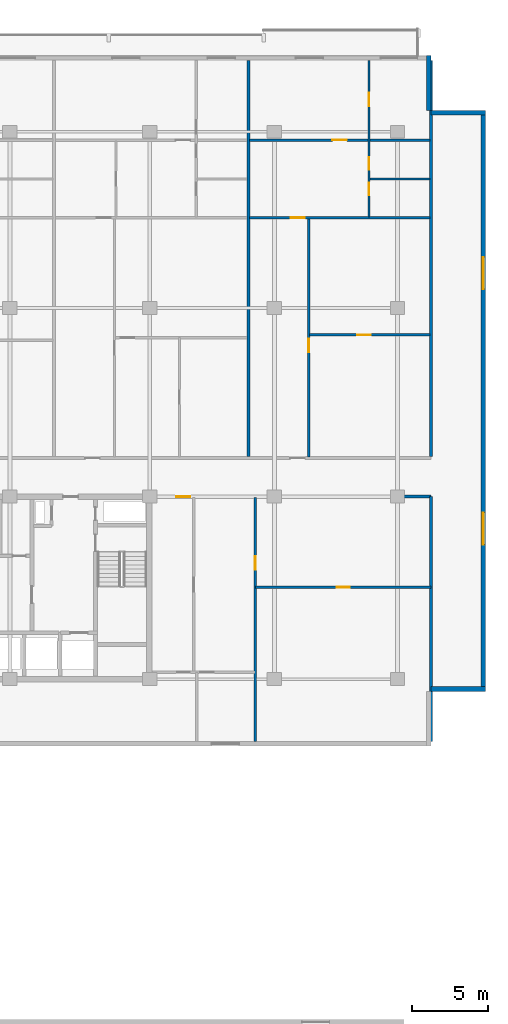
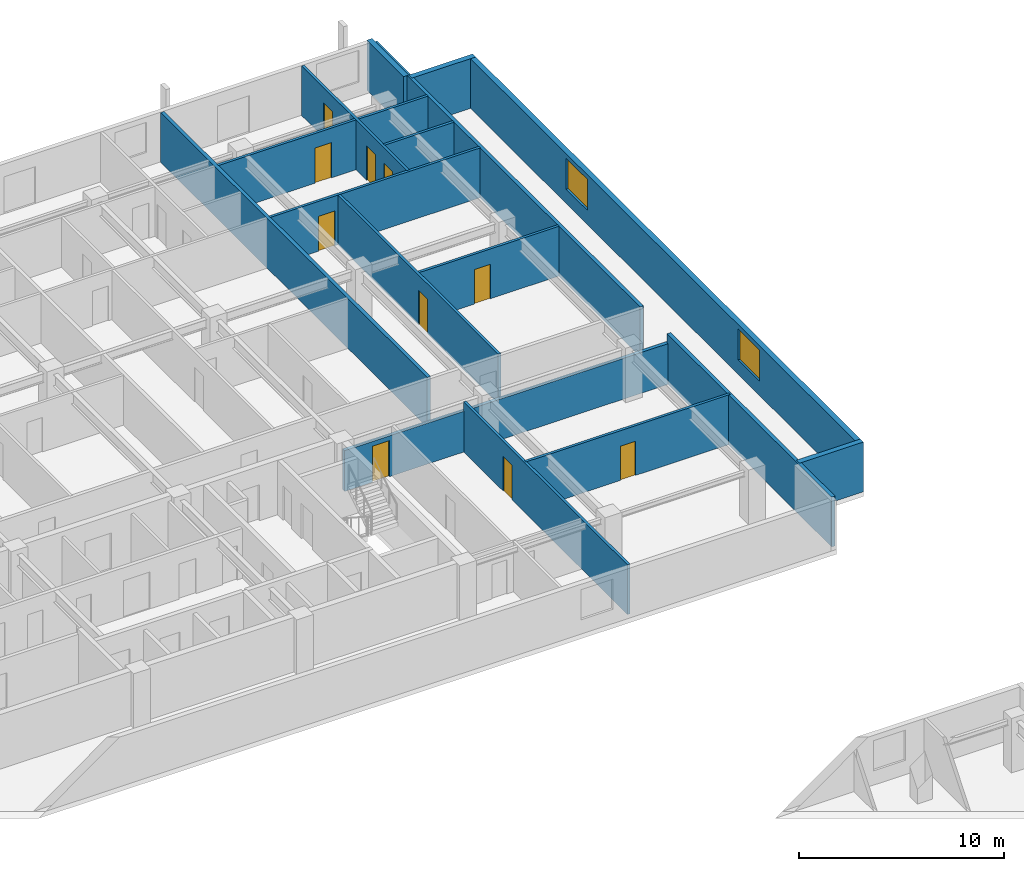
# One storey, part 16 of 22: 16 walls, 10 doors, 2 windows, 12 openings.
"""IFC4 building model written with IfcOpenShell, lengths in metres."""

from ifc_helpers import new_model, si_unit, direction, frame, frame_2d, origin, place, context, subcontext, project, spatial, rectangle, extrude, material, layer, layer_set, type_object, element, fill, save


model = new_model("IFC4")

# Units and contexts
model_context = context("Model", 3, precision=1e-05, world=origin(), true_north=direction((0.0, 1.0)))
body_context = subcontext(model_context, "Body", "Model", "MODEL_VIEW")
ifc_project = project(units=[si_unit("LENGTHUNIT", "METRE"), si_unit("AREAUNIT", "SQUARE_METRE"), si_unit("VOLUMEUNIT", "CUBIC_METRE"), si_unit("PLANEANGLEUNIT", "RADIAN"), si_unit("MASSUNIT", "GRAM", prefix="KILO")], contexts=[model_context])

# Site, building, storey
site_placement = place(None, origin())
site = spatial("IfcSite", under=ifc_project, at=site_placement, CompositionType="ELEMENT")
building_placement = place(site_placement, origin())
building = spatial("IfcBuilding", under=site, at=building_placement, Name="Korimba Cascade Residences", CompositionType="ELEMENT")
storey_placement = place(building_placement, frame((0.0, 0.0, 110.050048828125)))
storey = spatial("IfcBuildingStorey", under=building, at=storey_placement, Name="L31", CompositionType="ELEMENT", Elevation=110.050048828125)

# Wall
ifc_material_1 = material(Name="Precast concrete C40/50", Category="concrete")
ifc_layer_1 = layer(ifc_material_1, 0.300048828125)
ifc_layer_set_1 = layer_set([ifc_layer_1], Name="Precast concrete C40/50")
wall_type_1 = type_object("IfcWallType", Name="EW-STONE-300", PredefinedType="STANDARD", material=ifc_layer_set_1)
wall_1_placement = place(storey_placement, frame((130.60009765625, 54.550048828125, 0.0), z_axis=(0.0, 0.0, 1.0), x_axis=(1.0, 0.0, 0.0)))
element("IfcWall", 1, at=wall_1_placement, inside=storey, type_object=wall_type_1, Name="L31 T1 Perimeter Stone Wall E02", PredefinedType="STANDARD", context=body_context, shape_type="SweptSolid", body=[
    extrude(rectangle(XDim=3.599853515625, YDim=0.300048828125, at=frame_2d((1.7998046875, 0.0))), origin(), (0.0, 0.0, 1.0), 2.969970703125),
])

# Wall, openings, windows
wall_2_placement = place(storey_placement, frame((134.050048828125, 54.39990234375, 0.0), z_axis=(0.0, 0.0, 1.0), x_axis=(0.0, 1.0, 0.0)))
wall_2 = element("IfcWall", 2, at=wall_2_placement, inside=storey, type_object=wall_type_1, Name="L31 T1 Perimeter Stone Wall E03", PredefinedType="STANDARD", context=body_context, shape_type="SweptSolid", body=[
    extrude(rectangle(XDim=38.2001953125, YDim=0.300048828125, at=frame_2d((19.10009765625, 0.0))), origin(), (0.0, 0.0, 1.0), 2.969970703125),
])
opening_1_placement = place(wall_2_placement, frame((9.64599609375, 0.0, 0.85009765625)))
opening_1 = element("IfcOpeningElement", 3, at=opening_1_placement, cuts=wall_2, Name="Opening W-03", PredefinedType="OPENING", context=body_context, shape_type="SweptSolid", body=[
    extrude(rectangle(XDim=2.10009765625, YDim=1.85009765625, at=frame_2d((1.050048828125, 0.925048828125))), frame((0.0, 0.16015625, 0.0), z_axis=(0.0, -1.0, 0.0), x_axis=(1.0, 0.0, 0.0)), (0.0, 0.0, 1.0), 0.320068359375),
])
opening_2_placement = place(wall_2_placement, frame((26.4541015625, 0.0, 0.85009765625)))
opening_2 = element("IfcOpeningElement", 4, at=opening_2_placement, cuts=wall_2, Name="Opening W-03", PredefinedType="OPENING", context=body_context, shape_type="SweptSolid", body=[
    extrude(rectangle(XDim=2.10009765625, YDim=1.85009765625, at=frame_2d((1.050048828125, 0.925048828125))), frame((0.0, 0.16015625, 0.0), z_axis=(0.0, -1.0, 0.0), x_axis=(1.0, 0.0, 0.0)), (0.0, 0.0, 1.0), 0.320068359375),
])
ifc_material_2 = material(Name="Double-Glazed Aluminium Window", Category="aluminium")
window_type = type_object("IfcWindowType", Name="WIN-CRN-2100", PartitioningType="DOUBLE_PANEL_HORIZONTAL", PredefinedType="WINDOW", material=ifc_material_2)
window_1_placement = place(opening_1_placement, origin())
window_1 = element("IfcWindow", 5, at=window_1_placement, inside=storey, type_object=window_type, Name="L31 T1 End View Window 3.1", OverallHeight=1.85009765625, OverallWidth=2.10009765625, PartitioningType="DOUBLE_PANEL_HORIZONTAL", PredefinedType="WINDOW", context=body_context, shape_type="SweptSolid", body=[
    extrude(rectangle(XDim=2.10009765625, YDim=1.85009765625, at=frame_2d((1.050048828125, 0.925048828125))), frame((0.0, 0.030029296875, 0.0), z_axis=(0.0, -1.0, 0.0), x_axis=(1.0, 0.0, 0.0)), (0.0, 0.0, 1.0), 0.06005859375),
])
fill(opening_1, window_1)
window_2_placement = place(opening_2_placement, origin())
window_2 = element("IfcWindow", 6, at=window_2_placement, inside=storey, type_object=window_type, Name="L31 T1 End View Window 3.2", OverallHeight=1.85009765625, OverallWidth=2.10009765625, PartitioningType="DOUBLE_PANEL_HORIZONTAL", PredefinedType="WINDOW", context=body_context, shape_type="SweptSolid", body=[
    extrude(rectangle(XDim=2.10009765625, YDim=1.85009765625, at=frame_2d((1.050048828125, 0.925048828125))), frame((0.0, 0.030029296875, 0.0), z_axis=(0.0, -1.0, 0.0), x_axis=(1.0, 0.0, 0.0)), (0.0, 0.0, 1.0), 0.06005859375),
])
fill(opening_2, window_2)

# Walls
for number, where, z_axis, x_axis, name in (
    (7, (134.199951171875, 92.449951171875, 0.0), (0.0, 0.0, 1.0), (-1.0, 0.0, 0.0), "L31 T1 Perimeter Stone Wall E04"),
    (8, (130.449951171875, 92.60009765625, 0.0), (0.0, 0.0, 1.0), (0.0, 1.0, 0.0), "L31 T1 Perimeter Stone Wall E05"),
):
    element("IfcWall", number, at=place(storey_placement, frame(where, z_axis=z_axis, x_axis=x_axis)), inside=storey, type_object=wall_type_1, Name=name, PredefinedType="STANDARD", context=body_context, shape_type="SweptSolid", body=[
        extrude(rectangle(XDim=3.599853515625, YDim=0.300048828125, at=frame_2d((1.7998046875, 0.0))), origin(), (0.0, 0.0, 1.0), 2.969970703125),
    ])
ifc_layer_2 = layer(ifc_material_1, 0.199951171875)
ifc_layer_set_2 = layer_set([ifc_layer_2], Name="Precast concrete C40/50")
wall_type_2 = type_object("IfcWallType", Name="WAL-IT-200", PredefinedType="PARTITIONING", material=ifc_layer_set_2)
wall_3_placement = place(storey_placement, frame((130.60009765625, 51.10009765625, 0.0), z_axis=(0.0, 0.0, 1.0), x_axis=(0.0, 1.0, 0.0)))
element("IfcWall", 9, at=wall_3_placement, inside=storey, type_object=wall_type_2, Name="L31 Partition Wall WAL-L31-T1-FE-WR", PredefinedType="PARTITIONING", context=body_context, shape_type="SweptSolid", body=[
    extrude(rectangle(XDim=16.099853515625, YDim=0.199951171875, at=frame_2d((8.0498046875, 0.0))), origin(), (0.0, 0.0, 1.0), 2.969970703125),
])

# Wall, opening, door
wall_4_placement = place(storey_placement, frame((112.25, 67.199951171875, 0.0), z_axis=(0.0, 0.0, 1.0), x_axis=(1.0, 0.0, 0.0)))
wall_4 = element("IfcWall", 10, at=wall_4_placement, inside=storey, type_object=wall_type_2, Name="L31 Partition Wall WAL-L31-T1-FE-N", PredefinedType="PARTITIONING", context=body_context, shape_type="SweptSolid", body=[
    extrude(rectangle(XDim=18.35009765625, YDim=0.199951171875, at=frame_2d((9.175048828125, 0.0))), origin(), (0.0, 0.0, 1.0), 2.433349609375),
])
opening_3_placement = place(wall_4_placement, frame((1.580078125, 0.0, 0.0)))
opening_3 = element("IfcOpeningElement", 11, at=opening_3_placement, cuts=wall_4, Name="Opening D-UN1", PredefinedType="OPENING", context=body_context, shape_type="SweptSolid", body=[
    extrude(rectangle(XDim=0.949951171875, YDim=2.14990234375, at=frame_2d((0.47509765625, 1.074951171875))), frame((0.0, 0.10986328125, 0.0), z_axis=(0.0, -1.0, 0.0), x_axis=(1.0, 0.0, 0.0)), (0.0, 0.0, 1.0), 0.219970703125),
])
ifc_material_3 = material(Name="Fire-Rated Hardwood Apartment Entrance Door", Category="wood")
door_type_1 = type_object("IfcDoorType", Name="DR-FD60-950", OperationType="NOTDEFINED", PredefinedType="DOOR", material=ifc_material_3)
door_1_placement = place(opening_3_placement, origin())
door_1 = element("IfcDoor", 12, at=door_1_placement, inside=storey, type_object=door_type_1, Name="L31-T1-FE Entrance Door", OperationType="SINGLE_SWING_LEFT", OverallHeight=2.14990234375, OverallWidth=0.949951171875, PredefinedType="DOOR", context=body_context, shape_type="SweptSolid", body=[
    extrude(rectangle(XDim=0.949951171875, YDim=2.14990234375, at=frame_2d((0.47509765625, 1.074951171875))), frame((0.0, 0.02490234375, 0.0), z_axis=(0.0, -1.0, 0.0), x_axis=(1.0, 0.0, 0.0)), (0.0, 0.0, 1.0), 0.050048828125),
])
fill(opening_3, door_1)

# Walls
for number, where, z_axis, x_axis, name in (
    (13, (130.60009765625, 69.830078125, 0.0), (0.0, 0.0, 1.0), (0.0, 1.0, 0.0), "L31 Partition Wall WAL-L31-T1-BNDWR"),
    (14, (118.583984375, 69.830078125, 0.0), (0.0, 0.0, 1.0), (0.0, 1.0, 0.0), "L31 Partition Wall WAL-L31-T1-DEM-4"),
):
    element("IfcWall", number, at=place(storey_placement, frame(where, z_axis=z_axis, x_axis=x_axis)), inside=storey, type_object=wall_type_2, Name=name, PredefinedType="PARTITIONING", context=body_context, shape_type="SweptSolid", body=[
        extrude(rectangle(XDim=26.06982421875, YDim=0.199951171875, at=frame_2d((13.034912109375, 0.0))), origin(), (0.0, 0.0, 1.0), 2.969970703125),
    ])

# Wall, opening, door
ifc_material_4 = material(Name="Insulated Acoustic Stud Partition", Category="gypsum")
ifc_layer_3 = layer(ifc_material_4, 0.14990234375)
ifc_layer_set_3 = layer_set([ifc_layer_3], Name="Insulated Acoustic Stud Partition")
wall_type_3 = type_object("IfcWallType", Name="WAL-PART-150", PredefinedType="PARTITIONING", material=ifc_layer_set_3)
wall_5_placement = place(storey_placement, frame((119.050048828125, 61.25, 0.0), z_axis=(0.0, 0.0, 1.0), x_axis=(1.0, 0.0, 0.0)))
wall_5 = element("IfcWall", 15, at=wall_5_placement, inside=storey, type_object=wall_type_3, Name="L31 Partition Wall WAL-L31-T1-FE-STH", PredefinedType="PARTITIONING", context=body_context, shape_type="SweptSolid", body=[
    extrude(rectangle(XDim=11.550048828125, YDim=0.14990234375, at=frame_2d((5.77490234375, 0.0))), origin(), (0.0, 0.0, 1.0), 2.969970703125),
])
opening_4_placement = place(wall_5_placement, frame((5.35498046875, 0.0, 0.0)))
opening_4 = element("IfcOpeningElement", 16, at=opening_4_placement, cuts=wall_5, Name="Opening D-BT1", PredefinedType="OPENING", context=body_context, shape_type="SweptSolid", body=[
    extrude(rectangle(XDim=0.840087890625, YDim=2.0400390625, at=frame_2d((0.419921875, 1.02001953125))), frame((0.0, 0.0849609375, 0.0), z_axis=(0.0, -1.0, 0.0), x_axis=(1.0, 0.0, 0.0)), (0.0, 0.0, 1.0), 0.169921875),
])
ifc_material_5 = material(Name="Moisture-Resistant Bathroom Timber Door", Category="wood")
door_type_2 = type_object("IfcDoorType", Name="DR-INT-850", OperationType="NOTDEFINED", PredefinedType="DOOR", material=ifc_material_5)
door_2_placement = place(opening_4_placement, origin())
door_2 = element("IfcDoor", 17, at=door_2_placement, inside=storey, type_object=door_type_2, Name="L31-T1-FE Dressing Store Door", OperationType="SINGLE_SWING_RIGHT", OverallHeight=2.0400390625, OverallWidth=0.840087890625, PredefinedType="DOOR", context=body_context, shape_type="SweptSolid", body=[
    extrude(rectangle(XDim=0.840087890625, YDim=2.0400390625, at=frame_2d((0.419921875, 1.02001953125))), frame((0.0, 0.02490234375, 0.0), z_axis=(0.0, -1.0, 0.0), x_axis=(1.0, 0.0, 0.0)), (0.0, 0.0, 1.0), 0.050048828125),
])
fill(opening_4, door_2)

wall_6_placement = place(storey_placement, frame((119.050048828125, 51.10009765625, 0.0), z_axis=(0.0, 0.0, 1.0), x_axis=(0.0, 1.0, 0.0)))
wall_6 = element("IfcWall", 18, at=wall_6_placement, inside=storey, type_object=wall_type_3, Name="L31 Partition Wall WAL-L31-T1-FE-STV", PredefinedType="PARTITIONING", context=body_context, shape_type="SweptSolid", body=[
    extrude(rectangle(XDim=16.0498046875, YDim=0.14990234375, at=frame_2d((8.02490234375, 0.0))), origin(), (0.0, 0.0, 1.0), 2.969970703125),
])
opening_5_placement = place(wall_6_placement, frame((11.300048828125, 0.0, 0.0)))
opening_5 = element("IfcOpeningElement", 19, at=opening_5_placement, cuts=wall_6, Name="Opening D-IN2", PredefinedType="OPENING", context=body_context, shape_type="SweptSolid", body=[
    extrude(rectangle(XDim=0.8798828125, YDim=2.06005859375, at=frame_2d((0.43994140625, 1.030029296875))), frame((0.0, 0.0849609375, 0.0), z_axis=(0.0, -1.0, 0.0), x_axis=(1.0, 0.0, 0.0)), (0.0, 0.0, 1.0), 0.169921875),
])
ifc_material_6 = material(Name="Acoustic Timber Bedroom Door", Category="wood")
door_type_3 = type_object("IfcDoorType", Name="DR-INT-880", OperationType="NOTDEFINED", PredefinedType="DOOR", material=ifc_material_6)
door_3_placement = place(opening_5_placement, origin())
door_3 = element("IfcDoor", 20, at=door_3_placement, inside=storey, type_object=door_type_3, Name="L31-T1-FE Study Door", OperationType="SINGLE_SWING_LEFT", OverallHeight=2.06005859375, OverallWidth=0.8798828125, PredefinedType="DOOR", context=body_context, shape_type="SweptSolid", body=[
    extrude(rectangle(XDim=0.8798828125, YDim=2.06005859375, at=frame_2d((0.43994140625, 1.030029296875))), frame((0.0, 0.02490234375, 0.0), z_axis=(0.0, -1.0, 0.0), x_axis=(1.0, 0.0, 0.0)), (0.0, 0.0, 1.0), 0.050048828125),
])
fill(opening_5, door_3)

wall_7_placement = place(storey_placement, frame((122.614013671875, 77.840087890625, 0.0), z_axis=(0.0, 0.0, 1.0), x_axis=(1.0, 0.0, 0.0)))
wall_7 = element("IfcWall", 21, at=wall_7_placement, inside=storey, type_object=wall_type_3, Name="L31 Partition Wall WAL-L31-T1-U05-FMH", PredefinedType="PARTITIONING", context=body_context, shape_type="SweptSolid", body=[
    extrude(rectangle(XDim=7.906005859375, YDim=0.14990234375, at=frame_2d((3.953125, 0.0))), origin(), (0.0, 0.0, 1.0), 2.969970703125),
])
opening_6_placement = place(wall_7_placement, frame((3.133544921875, 0.0, 0.0)))
opening_6 = element("IfcOpeningElement", 22, at=opening_6_placement, cuts=wall_7, Name="Opening D-IN2", PredefinedType="OPENING", context=body_context, shape_type="SweptSolid", body=[
    extrude(rectangle(XDim=0.8798828125, YDim=2.06005859375, at=frame_2d((0.43994140625, 1.030029296875))), frame((0.0, 0.0849609375, 0.0), z_axis=(0.0, -1.0, 0.0), x_axis=(1.0, 0.0, 0.0)), (0.0, 0.0, 1.0), 0.169921875),
])
door_4_placement = place(opening_6_placement, origin())
door_4 = element("IfcDoor", 23, at=door_4_placement, inside=storey, type_object=door_type_3, Name="L31-T1-U05 Library Salon Door", OperationType="SINGLE_SWING_RIGHT", OverallHeight=2.06005859375, OverallWidth=0.8798828125, PredefinedType="DOOR", context=body_context, shape_type="SweptSolid", body=[
    extrude(rectangle(XDim=0.8798828125, YDim=2.06005859375, at=frame_2d((0.43994140625, 1.030029296875))), frame((0.0, 0.02490234375, 0.0), z_axis=(0.0, -1.0, 0.0), x_axis=(1.0, 0.0, 0.0)), (0.0, 0.0, 1.0), 0.050048828125),
])
fill(opening_6, door_4)

wall_8_placement = place(storey_placement, frame((122.553955078125, 69.81005859375, 0.0), z_axis=(0.0, 0.0, 1.0), x_axis=(0.0, 1.0, 0.0)))
wall_8 = element("IfcWall", 24, at=wall_8_placement, inside=storey, type_object=wall_type_3, Name="L31 Partition Wall WAL-L31-T1-U05-FV", PredefinedType="PARTITIONING", context=body_context, shape_type="SweptSolid", body=[
    extrude(rectangle(XDim=15.699951171875, YDim=0.14990234375, at=frame_2d((7.85009765625, 0.0))), origin(), (0.0, 0.0, 1.0), 2.969970703125),
])
opening_7_placement = place(wall_8_placement, frame((6.89990234375, 0.0, 0.0)))
opening_7 = element("IfcOpeningElement", 25, at=opening_7_placement, cuts=wall_8, Name="Opening D-IN2", PredefinedType="OPENING", context=body_context, shape_type="SweptSolid", body=[
    extrude(rectangle(XDim=0.8798828125, YDim=2.06005859375, at=frame_2d((0.43994140625, 1.030029296875))), frame((0.0, 0.0849609375, 0.0), z_axis=(0.0, -1.0, 0.0), x_axis=(1.0, 0.0, 0.0)), (0.0, 0.0, 1.0), 0.169921875),
])
door_5_placement = place(opening_7_placement, origin())
door_5 = element("IfcDoor", 26, at=door_5_placement, inside=storey, type_object=door_type_3, Name="L31-T1-U05 Media Lounge Door", OperationType="SINGLE_SWING_LEFT", OverallHeight=2.06005859375, OverallWidth=0.8798828125, PredefinedType="DOOR", context=body_context, shape_type="SweptSolid", body=[
    extrude(rectangle(XDim=0.8798828125, YDim=2.06005859375, at=frame_2d((0.43994140625, 1.030029296875))), frame((0.0, 0.02490234375, 0.0), z_axis=(0.0, -1.0, 0.0), x_axis=(1.0, 0.0, 0.0)), (0.0, 0.0, 1.0), 0.050048828125),
])
fill(opening_7, door_5)

# Wall
wall_9_placement = place(storey_placement, frame((126.580078125, 88.090087890625, 0.0), z_axis=(0.0, 0.0, 1.0), x_axis=(1.0, 0.0, 0.0)))
element("IfcWall", 27, at=wall_9_placement, inside=storey, type_object=wall_type_3, Name="L31 Partition Wall WAL-L31-T1-U05-BLDIV", PredefinedType="PARTITIONING", context=body_context, shape_type="SweptSolid", body=[
    extrude(rectangle(XDim=3.93994140625, YDim=0.14990234375, at=frame_2d((1.969970703125, 0.0))), origin(), (0.0, 0.0, 1.0), 2.969970703125),
])

# Wall, openings, doors
wall_10_placement = place(storey_placement, frame((126.52001953125, 85.590087890625, 0.0), z_axis=(0.0, 0.0, 1.0), x_axis=(0.0, 1.0, 0.0)))
wall_10 = element("IfcWall", 28, at=wall_10_placement, inside=storey, type_object=wall_type_3, Name="L31 Partition Wall WAL-L31-T1-U05-V1", PredefinedType="PARTITIONING", context=body_context, shape_type="SweptSolid", body=[
    extrude(rectangle(XDim=10.309814453125, YDim=0.14990234375, at=frame_2d((5.15478515625, 0.0))), origin(), (0.0, 0.0, 1.0), 2.969970703125),
])
opening_8_placement = place(wall_10_placement, frame((1.430419921875, 0.0, 0.0)))
opening_8 = element("IfcOpeningElement", 29, at=opening_8_placement, cuts=wall_10, Name="Opening D-BT1", PredefinedType="OPENING", context=body_context, shape_type="SweptSolid", body=[
    extrude(rectangle(XDim=0.840087890625, YDim=2.0400390625, at=frame_2d((0.419921875, 1.02001953125))), frame((0.0, 0.0849609375, 0.0), z_axis=(0.0, -1.0, 0.0), x_axis=(1.0, 0.0, 0.0)), (0.0, 0.0, 1.0), 0.169921875),
])
opening_9_placement = place(wall_10_placement, frame((3.1015625, 0.0, 0.0)))
opening_9 = element("IfcOpeningElement", 30, at=opening_9_placement, cuts=wall_10, Name="Opening D-BT1", PredefinedType="OPENING", context=body_context, shape_type="SweptSolid", body=[
    extrude(rectangle(XDim=0.840087890625, YDim=2.0400390625, at=frame_2d((0.419921875, 1.02001953125))), frame((0.0, 0.0849609375, 0.0), z_axis=(0.0, -1.0, 0.0), x_axis=(1.0, 0.0, 0.0)), (0.0, 0.0, 1.0), 0.169921875),
])
opening_10_placement = place(wall_10_placement, frame((7.28955078125, 0.0, 0.0)))
opening_10 = element("IfcOpeningElement", 31, at=opening_10_placement, cuts=wall_10, Name="Opening D-IN2", PredefinedType="OPENING", context=body_context, shape_type="SweptSolid", body=[
    extrude(rectangle(XDim=0.8798828125, YDim=2.06005859375, at=frame_2d((0.43994140625, 1.030029296875))), frame((0.0, 0.0849609375, 0.0), z_axis=(0.0, -1.0, 0.0), x_axis=(1.0, 0.0, 0.0)), (0.0, 0.0, 1.0), 0.169921875),
])
door_6_placement = place(opening_8_placement, origin())
door_6 = element("IfcDoor", 32, at=door_6_placement, inside=storey, type_object=door_type_2, Name="L31-T1-U05 Bathroom Door", OperationType="SINGLE_SWING_RIGHT", OverallHeight=2.0400390625, OverallWidth=0.840087890625, PredefinedType="DOOR", context=body_context, shape_type="SweptSolid", body=[
    extrude(rectangle(XDim=0.840087890625, YDim=2.0400390625, at=frame_2d((0.419921875, 1.02001953125))), frame((0.0, 0.02490234375, 0.0), z_axis=(0.0, -1.0, 0.0), x_axis=(1.0, 0.0, 0.0)), (0.0, 0.0, 1.0), 0.050048828125),
])
fill(opening_8, door_6)
door_7_placement = place(opening_9_placement, origin())
door_7 = element("IfcDoor", 33, at=door_7_placement, inside=storey, type_object=door_type_2, Name="L31-T1-U05 Laundry Door", OperationType="SINGLE_SWING_LEFT", OverallHeight=2.0400390625, OverallWidth=0.840087890625, PredefinedType="DOOR", context=body_context, shape_type="SweptSolid", body=[
    extrude(rectangle(XDim=0.840087890625, YDim=2.0400390625, at=frame_2d((0.419921875, 1.02001953125))), frame((0.0, 0.02490234375, 0.0), z_axis=(0.0, -1.0, 0.0), x_axis=(1.0, 0.0, 0.0)), (0.0, 0.0, 1.0), 0.050048828125),
])
fill(opening_9, door_7)
door_8_placement = place(opening_10_placement, origin())
door_8 = element("IfcDoor", 34, at=door_8_placement, inside=storey, type_object=door_type_3, Name="L31-T1-U05 Bedroom 1 Door", OperationType="SINGLE_SWING_RIGHT", OverallHeight=2.06005859375, OverallWidth=0.8798828125, PredefinedType="DOOR", context=body_context, shape_type="SweptSolid", body=[
    extrude(rectangle(XDim=0.8798828125, YDim=2.06005859375, at=frame_2d((0.43994140625, 1.030029296875))), frame((0.0, 0.02490234375, 0.0), z_axis=(0.0, -1.0, 0.0), x_axis=(1.0, 0.0, 0.0)), (0.0, 0.0, 1.0), 0.050048828125),
])
fill(opening_10, door_8)

# Wall, opening, door
wall_11_placement = place(storey_placement, frame((118.663818359375, 85.550048828125, 0.0), z_axis=(0.0, 0.0, 1.0), x_axis=(1.0, 0.0, 0.0)))
wall_11 = element("IfcWall", 35, at=wall_11_placement, inside=storey, type_object=wall_type_3, Name="L31 Partition Wall WAL-L31-T1-U05-MW", PredefinedType="PARTITIONING", context=body_context, shape_type="SweptSolid", body=[
    extrude(rectangle(XDim=11.856201171875, YDim=0.14990234375, at=frame_2d((5.92822265625, 0.0))), origin(), (0.0, 0.0, 1.0), 2.969970703125),
])
opening_11_placement = place(wall_11_placement, frame((2.719970703125, 0.0, 0.0)))
opening_11 = element("IfcOpeningElement", 36, at=opening_11_placement, cuts=wall_11, Name="Opening D-IN1", PredefinedType="OPENING", context=body_context, shape_type="SweptSolid", body=[
    extrude(rectangle(XDim=0.919921875, YDim=2.080078125, at=frame_2d((0.4599609375, 1.0400390625))), frame((0.0, 0.0849609375, 0.0), z_axis=(0.0, -1.0, 0.0), x_axis=(1.0, 0.0, 0.0)), (0.0, 0.0, 1.0), 0.169921875),
])
ifc_material_7 = material(Name="Acoustic Timber Living Door", Category="wood")
door_type_4 = type_object("IfcDoorType", Name="DR-INT-920", OperationType="NOTDEFINED", PredefinedType="DOOR", material=ifc_material_7)
door_9_placement = place(opening_11_placement, origin())
door_9 = element("IfcDoor", 37, at=door_9_placement, inside=storey, type_object=door_type_4, Name="L31-T1-U05 Kitchen Archway Door", OperationType="SINGLE_SWING_LEFT", OverallHeight=2.080078125, OverallWidth=0.919921875, PredefinedType="DOOR", context=body_context, shape_type="SweptSolid", body=[
    extrude(rectangle(XDim=0.919921875, YDim=2.080078125, at=frame_2d((0.4599609375, 1.0400390625))), frame((0.0, 0.02490234375, 0.0), z_axis=(0.0, -1.0, 0.0), x_axis=(1.0, 0.0, 0.0)), (0.0, 0.0, 1.0), 0.050048828125),
])
fill(opening_11, door_9)

wall_12_placement = place(storey_placement, frame((118.663818359375, 90.64990234375, 0.0), z_axis=(0.0, 0.0, 1.0), x_axis=(1.0, 0.0, 0.0)))
wall_12 = element("IfcWall", 38, at=wall_12_placement, inside=storey, type_object=wall_type_3, Name="L31 Partition Wall WAL-L31-T1-U05-HZ", PredefinedType="PARTITIONING", context=body_context, shape_type="SweptSolid", body=[
    extrude(rectangle(XDim=11.856201171875, YDim=0.14990234375, at=frame_2d((5.92822265625, 0.0))), origin(), (0.0, 0.0, 1.0), 2.969970703125),
])
opening_12_placement = place(wall_12_placement, frame((5.4580078125, 0.0, 0.0)))
opening_12 = element("IfcOpeningElement", 39, at=opening_12_placement, cuts=wall_12, Name="Opening D-IN0", PredefinedType="OPENING", context=body_context, shape_type="SweptSolid", body=[
    extrude(rectangle(XDim=0.93994140625, YDim=2.10009765625, at=frame_2d((0.469970703125, 1.050048828125))), frame((0.0, 0.0849609375, 0.0), z_axis=(0.0, -1.0, 0.0), x_axis=(1.0, 0.0, 0.0)), (0.0, 0.0, 1.0), 0.169921875),
])
ifc_material_8 = material(Name="Acoustic Timber Living Archway Door", Category="wood")
door_type_5 = type_object("IfcDoorType", Name="DR-INT-950", OperationType="NOTDEFINED", PredefinedType="DOOR", material=ifc_material_8)
door_10_placement = place(opening_12_placement, origin())
door_10 = element("IfcDoor", 40, at=door_10_placement, inside=storey, type_object=door_type_5, Name="L31-T1-U05 Living Archway Door", OperationType="SINGLE_SWING_RIGHT", OverallHeight=2.10009765625, OverallWidth=0.93994140625, PredefinedType="DOOR", context=body_context, shape_type="SweptSolid", body=[
    extrude(rectangle(XDim=0.93994140625, YDim=2.10009765625, at=frame_2d((0.469970703125, 1.050048828125))), frame((0.0, 0.02490234375, 0.0), z_axis=(0.0, -1.0, 0.0), x_axis=(1.0, 0.0, 0.0)), (0.0, 0.0, 1.0), 0.050048828125),
])
fill(opening_12, door_10)

save(model, "model.ifc")
